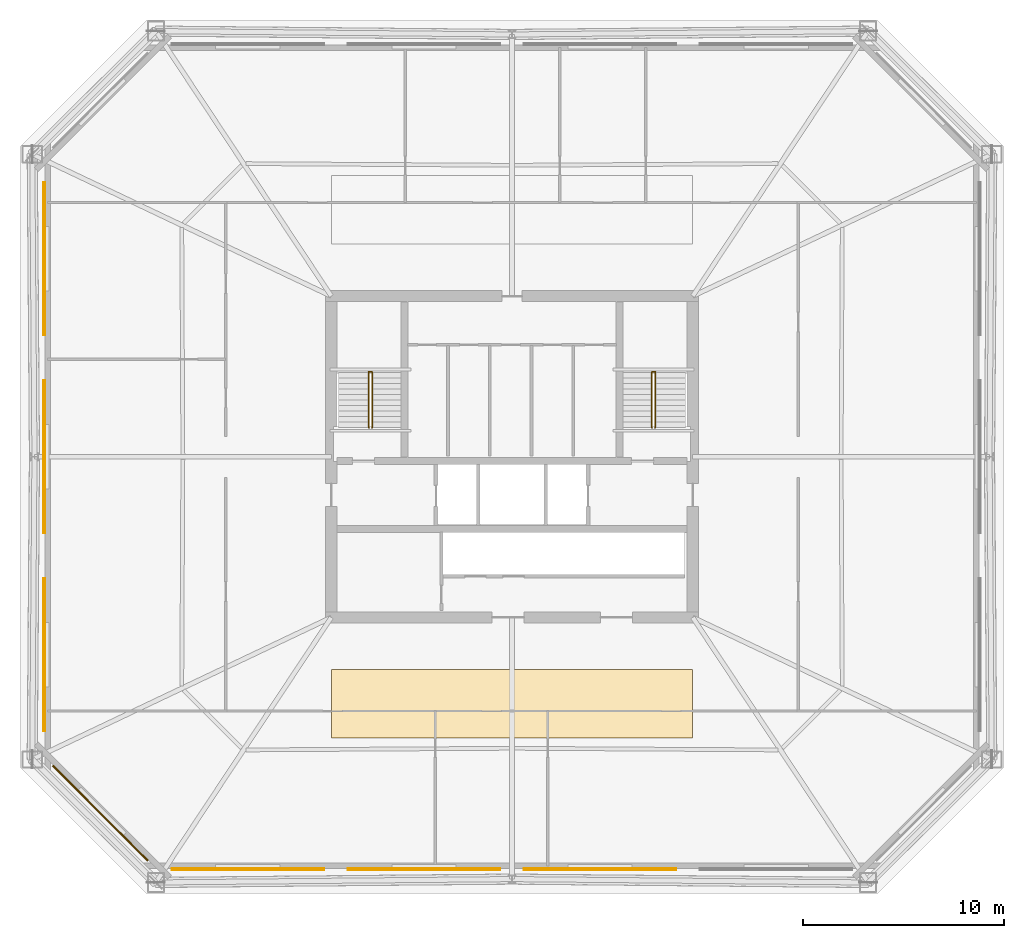
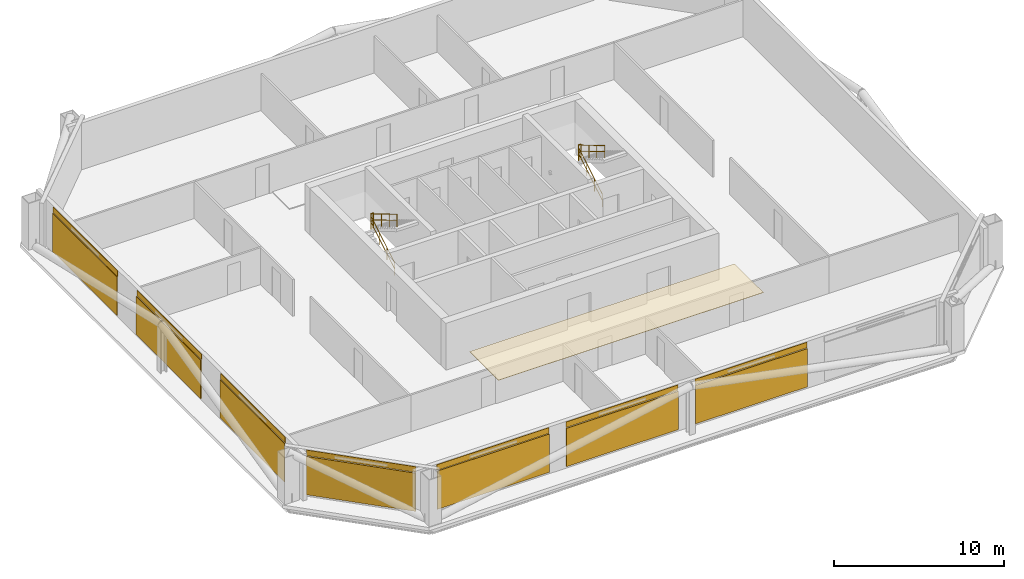
# One storey, part 5 of 6: 8 coverings, 7 shading devices, 6 railings.
"""IFC4 building model written with IfcOpenShell, lengths in metres."""

from ifc_helpers import new_model, si_unit, direction, frame, origin, origin_2d, place, context, subcontext, project, spatial, polyline, rectangle, circle, outline, extrude, material, layer, layer_set, type_object, element, save


model = new_model("IFC4")

# Units and contexts
model_context = context("Model", 3, precision=1e-05, world=origin(), true_north=direction((0.0, 1.0)))
body_context = subcontext(model_context, "Body", "Model", "MODEL_VIEW")
ifc_project = project(units=[si_unit("LENGTHUNIT", "METRE"), si_unit("AREAUNIT", "SQUARE_METRE"), si_unit("VOLUMEUNIT", "CUBIC_METRE"), si_unit("PLANEANGLEUNIT", "RADIAN"), si_unit("MASSUNIT", "GRAM", prefix="KILO")], contexts=[model_context])

# Site, building, storey
site_placement = place(None, origin())
site = spatial("IfcSite", under=ifc_project, at=site_placement, CompositionType="ELEMENT")
building_placement = place(site_placement, origin())
building = spatial("IfcBuilding", under=site, at=building_placement, Name="Caelvoria Tower", CompositionType="ELEMENT")
storey_placement = place(building_placement, frame((0.0, 0.0, 149.199951171875)))
storey = spatial("IfcBuildingStorey", under=building, at=storey_placement, Name="L39", CompositionType="ELEMENT", Elevation=149.199951171875)

# Coverings
ifc_material_1 = material(Name="Acoustic Mineral Fibre Tile", Category="gypsum")
ifc_layer_1 = layer(ifc_material_1, 0.02490234375, Name="Acoustic Mineral Fibre Tile")
ifc_layer_set_1 = layer_set([ifc_layer_1], Name="Mineral-Fibre Acoustic Suspended Ceiling 25 - Acoustic Mineral Fibre Tile")
covering_type_1 = type_object("IfcCoveringType", Name="Mineral-Fibre Acoustic Suspended Ceiling 25", PredefinedType="CEILING", material=ifc_layer_set_1)
covering_1_placement = place(storey_placement, frame((0.0, 0.0, 2.635009765625)))
element("IfcCovering", 1, at=covering_1_placement, inside=storey, type_object=covering_type_1, Name="Suspended Acoustic Ceiling L39", PredefinedType="CEILING", context=body_context, shape_type="SweptSolid", body=[
    extrude(outline(polyline([(37.0, 18.0), (55.0, 18.0), (55.0, 21.39990234375), (37.0, 21.39990234375), (37.0, 18.0)])), origin(), (0.0, 0.0, 1.0), 0.025146484375),
])
ifc_material_2 = material(Name="Perforated Architectural Bronze Cladding Screen", Category="bronze")
ifc_layer_2 = layer(ifc_material_2, 0.0400390625, Name="Perforated Architectural Bronze Cladding Screen")
ifc_layer_set_2 = layer_set([ifc_layer_2], Name="Perforated Bronze Louvre Cladding Band 40 - Perforated Architectural Bronze Cladding Screen")
covering_type_2 = type_object("IfcCoveringType", Name="Perforated Bronze Louvre Cladding Band 40", PredefinedType="CLADDING", material=ifc_layer_set_2)
for number, where, z_axis, x_axis, name in (
    (2, (32.844970703125, 11.47802734375, 2.940185546875), (0.0, 0.0, 1.0), (1.0, 0.0, 0.0), "Perforated Bronze Screen Band L39-E0-00"),
    (3, (41.614990234375, 11.47802734375, 2.940185546875), (0.0, 0.0, 1.0), (1.0, 0.0, 0.0), "Perforated Bronze Screen Band L39-E0-01"),
    (4, (50.385009765625, 11.47802734375, 2.940185546875), (0.0, 0.0, 1.0), (1.0, 0.0, 0.0), "Perforated Bronze Screen Band L39-E0-02"),
    (5, (22.72802734375, 41.860107421875, 2.940185546875), (0.0, 0.0, 1.0), (0.0, -1.0, 0.0), "Perforated Bronze Screen Band L39-E6-00"),
    (6, (22.72802734375, 32.0, 2.940185546875), (0.0, 0.0, 1.0), (0.0, -1.0, 0.0), "Perforated Bronze Screen Band L39-E6-01"),
    (7, (22.72802734375, 22.139892578125, 2.940185546875), (0.0, 0.0, 1.0), (0.0, -1.0, 0.0), "Perforated Bronze Screen Band L39-E6-02"),
):
    element("IfcCovering", number, at=place(storey_placement, frame(where, z_axis=z_axis, x_axis=x_axis)), inside=storey, type_object=covering_type_2, Name=name, PredefinedType="CLADDING", context=body_context, shape_type="SweptSolid", body=[
        extrude(rectangle(XDim=7.60009765625, YDim=0.0400390625, at=origin_2d()), origin(), (0.0, 0.0, 1.0), 0.39990234375),
    ])
covering_2_placement = place(storey_placement, frame((25.518310546875, 14.268310546875, 2.940185546875), z_axis=(0.0, 0.0, 1.0), x_axis=(0.707106781187, -0.707106781187, 0.0)))
element("IfcCovering", 8, at=covering_2_placement, inside=storey, type_object=covering_type_2, Name="Perforated Bronze Screen Band L39-E7-00", PredefinedType="CLADDING", context=body_context, shape_type="SweptSolid", body=[
    extrude(rectangle(XDim=6.6787109375, YDim=0.0400390625, at=origin_2d()), origin(), (0.0, 0.0, 1.0), 0.39990234375),
])

# Shading devices
ifc_material_3 = material(Name="Perforated Architectural Bronze Alloy Panel", Category="bronze")
ifc_layer_3 = layer(ifc_material_3, 0.044921875, Name="Perforated Architectural Bronze Alloy Panel")
ifc_layer_set_3 = layer_set([ifc_layer_3], Name="Perforated Bronze Solar Screen Panel SCREEN - Perforated Architectural Bronze Alloy Panel")
shading_device_type = type_object("IfcShadingDeviceType", Name="Perforated Bronze Solar Screen Panel SCREEN", PredefinedType="USERDEFINED", material=ifc_layer_set_3)
for number, where, z_axis, x_axis, name in (
    (9, (32.844970703125, 11.43505859375, 0.16015625), (0.0, 0.0, 1.0), (1.0, 0.0, 0.0), "Perforated Bronze Solar Screen L39-E0-00"),
    (10, (41.614990234375, 11.43505859375, 0.16015625), (0.0, 0.0, 1.0), (1.0, 0.0, 0.0), "Perforated Bronze Solar Screen L39-E0-01"),
    (11, (50.385009765625, 11.43505859375, 0.16015625), (0.0, 0.0, 1.0), (1.0, 0.0, 0.0), "Perforated Bronze Solar Screen L39-E0-02"),
    (12, (22.68505859375, 41.860107421875, 0.16015625), (0.0, 0.0, 1.0), (0.0, -1.0, 0.0), "Perforated Bronze Solar Screen L39-E6-00"),
    (13, (22.68505859375, 32.0, 0.16015625), (0.0, 0.0, 1.0), (0.0, -1.0, 0.0), "Perforated Bronze Solar Screen L39-E6-01"),
    (14, (22.68505859375, 22.139892578125, 0.16015625), (0.0, 0.0, 1.0), (0.0, -1.0, 0.0), "Perforated Bronze Solar Screen L39-E6-02"),
):
    element("IfcShadingDevice", number, at=place(storey_placement, frame(where, z_axis=z_axis, x_axis=x_axis)), inside=storey, type_object=shading_device_type, Name=name, ObjectType="SCREEN", PredefinedType="USERDEFINED", context=body_context, shape_type="SweptSolid", body=[
        extrude(rectangle(XDim=7.60009765625, YDim=0.044921875, at=origin_2d()), origin(), (0.0, 0.0, 1.0), 2.75),
    ])
shading_device_placement = place(storey_placement, frame((25.48779296875, 14.23779296875, 0.16015625), z_axis=(0.0, 0.0, 1.0), x_axis=(0.707106781187, -0.707106781187, 0.0)))
element("IfcShadingDevice", 15, at=shading_device_placement, inside=storey, type_object=shading_device_type, Name="Perforated Bronze Solar Screen L39-E7-00", ObjectType="SCREEN", PredefinedType="USERDEFINED", context=body_context, shape_type="SweptSolid", body=[
    extrude(rectangle(XDim=6.6787109375, YDim=0.044921875, at=origin_2d()), origin(), (0.0, 0.0, 1.0), 2.75),
])

# Railings
ifc_material_4 = material(Name="Brushed Stainless Steel Tube", Category="steel")
railing_type_1 = type_object("IfcRailingType", Name="Stair Tubular Stainless Handrail 920", PredefinedType="HANDRAIL", material=ifc_material_4)
railing_1_placement = place(storey_placement, frame((38.8701171875, 33.449951171875, 0.16357421875)))
element("IfcRailing", 16, at=railing_1_placement, inside=storey, type_object=railing_type_1, Name="ST-01 Flight 1 Handrail L39", PredefinedType="HANDRAIL", context=body_context, shape_type="SweptSolid", body=[
    extrude(circle(Radius=0.02392578125, at=origin_2d()), frame((0.0, 0.0, 0.89599609375), z_axis=(0.0, 0.859351957796, 0.511384603436), x_axis=(-1.0, 0.0, 0.0)), (0.0, 0.0, 1.0), 3.2001953125),
    extrude(circle(Radius=0.02392578125, at=origin_2d()), frame((0.0, 0.0, 0.4599609375), z_axis=(0.0, 0.859351957796, 0.511384603436), x_axis=(-1.0, 0.0, 0.0)), (0.0, 0.0, 1.0), 3.2001953125),
    extrude(circle(Radius=0.02099609375, at=origin_2d()), origin(), (0.0, 0.0, 1.0), 0.871826171875),
    extrude(circle(Radius=0.02099609375, at=origin_2d()), frame((0.0, 0.916748046875, 0.54541015625)), (0.0, 0.0, 1.0), 0.871826171875),
    extrude(circle(Radius=0.02099609375, at=origin_2d()), frame((0.0, 1.833251953125, 1.091064453125)), (0.0, 0.0, 1.0), 0.871826171875),
    extrude(circle(Radius=0.02099609375, at=origin_2d()), frame((0.0, 2.75, 1.636474609375)), (0.0, 0.0, 1.0), 0.871826171875),
])
railing_2_placement = place(storey_placement, frame((39.030029296875, 36.199951171875, 1.963623046875)))
element("IfcRailing", 17, at=railing_2_placement, inside=storey, type_object=railing_type_1, Name="ST-01 Flight 2 Handrail L39", PredefinedType="HANDRAIL", context=body_context, shape_type="SweptSolid", body=[
    extrude(circle(Radius=0.02392578125, at=origin_2d()), frame((0.0, 0.0, 0.89599609375), z_axis=(0.0, -0.859351957796, 0.511384603436), x_axis=(1.0, 0.0, 0.0)), (0.0, 0.0, 1.0), 3.2001953125),
    extrude(circle(Radius=0.02392578125, at=origin_2d()), frame((0.0, 0.0, 0.4599609375), z_axis=(0.0, -0.859351957796, 0.511384603436), x_axis=(1.0, 0.0, 0.0)), (0.0, 0.0, 1.0), 3.2001953125),
    extrude(circle(Radius=0.02099609375, at=origin_2d()), origin(), (0.0, 0.0, 1.0), 0.871826171875),
    extrude(circle(Radius=0.02099609375, at=origin_2d()), frame((0.0, -0.916748046875, 0.54541015625)), (0.0, 0.0, 1.0), 0.871826171875),
    extrude(circle(Radius=0.02099609375, at=origin_2d()), frame((0.0, -1.833251953125, 1.091064453125)), (0.0, 0.0, 1.0), 0.871826171875),
    extrude(circle(Radius=0.02099609375, at=origin_2d()), frame((0.0, -2.75, 1.636474609375)), (0.0, 0.0, 1.0), 0.871826171875),
])
railing_3_placement = place(storey_placement, frame((52.969970703125, 33.449951171875, 0.16357421875)))
element("IfcRailing", 18, at=railing_3_placement, inside=storey, type_object=railing_type_1, Name="ST-02 Flight 1 Handrail L39", PredefinedType="HANDRAIL", context=body_context, shape_type="SweptSolid", body=[
    extrude(circle(Radius=0.02392578125, at=origin_2d()), frame((0.0, 0.0, 0.89599609375), z_axis=(0.0, 0.859351957796, 0.511384603436), x_axis=(-1.0, 0.0, 0.0)), (0.0, 0.0, 1.0), 3.2001953125),
    extrude(circle(Radius=0.02392578125, at=origin_2d()), frame((0.0, 0.0, 0.4599609375), z_axis=(0.0, 0.859351957796, 0.511384603436), x_axis=(-1.0, 0.0, 0.0)), (0.0, 0.0, 1.0), 3.2001953125),
    extrude(circle(Radius=0.02099609375, at=origin_2d()), origin(), (0.0, 0.0, 1.0), 0.871826171875),
    extrude(circle(Radius=0.02099609375, at=origin_2d()), frame((0.0, 0.916748046875, 0.54541015625)), (0.0, 0.0, 1.0), 0.871826171875),
    extrude(circle(Radius=0.02099609375, at=origin_2d()), frame((0.0, 1.833251953125, 1.091064453125)), (0.0, 0.0, 1.0), 0.871826171875),
    extrude(circle(Radius=0.02099609375, at=origin_2d()), frame((0.0, 2.75, 1.636474609375)), (0.0, 0.0, 1.0), 0.871826171875),
])
railing_4_placement = place(storey_placement, frame((53.1298828125, 36.199951171875, 1.963623046875)))
element("IfcRailing", 19, at=railing_4_placement, inside=storey, type_object=railing_type_1, Name="ST-02 Flight 2 Handrail L39", PredefinedType="HANDRAIL", context=body_context, shape_type="SweptSolid", body=[
    extrude(circle(Radius=0.02392578125, at=origin_2d()), frame((0.0, 0.0, 0.89599609375), z_axis=(0.0, -0.859351957796, 0.511384603436), x_axis=(1.0, 0.0, 0.0)), (0.0, 0.0, 1.0), 3.2001953125),
    extrude(circle(Radius=0.02392578125, at=origin_2d()), frame((0.0, 0.0, 0.4599609375), z_axis=(0.0, -0.859351957796, 0.511384603436), x_axis=(1.0, 0.0, 0.0)), (0.0, 0.0, 1.0), 3.2001953125),
    extrude(circle(Radius=0.02099609375, at=origin_2d()), origin(), (0.0, 0.0, 1.0), 0.871826171875),
    extrude(circle(Radius=0.02099609375, at=origin_2d()), frame((0.0, -0.916748046875, 0.54541015625)), (0.0, 0.0, 1.0), 0.871826171875),
    extrude(circle(Radius=0.02099609375, at=origin_2d()), frame((0.0, -1.833251953125, 1.091064453125)), (0.0, 0.0, 1.0), 0.871826171875),
    extrude(circle(Radius=0.02099609375, at=origin_2d()), frame((0.0, -2.75, 1.636474609375)), (0.0, 0.0, 1.0), 0.871826171875),
])
ifc_material_5 = material(Name="Brushed Stainless Steel Guardrail", Category="steel")
railing_type_2 = type_object("IfcRailingType", Name="Stair Well and Ramp Guardrail 1120", PredefinedType="GUARDRAIL", material=ifc_material_5)
for number, where, name in (
    (20, (38.8701171875, 36.239990234375, 1.800048828125), "ST-01 Half-Landing Well Guard L39"),
    (21, (52.969970703125, 36.239990234375, 1.800048828125), "ST-02 Half-Landing Well Guard L39"),
):
    element("IfcRailing", number, at=place(storey_placement, frame(where)), inside=storey, type_object=railing_type_2, Name=name, PredefinedType="GUARDRAIL", context=body_context, shape_type="SweptSolid", body=[
        extrude(circle(Radius=0.02392578125, at=origin_2d()), frame((0.0, 0.0, 1.09619140625), z_axis=(1.0, 0.0, 0.0), x_axis=(0.0, 1.0, 0.0)), (0.0, 0.0, 1.0), 0.159912109375),
        extrude(circle(Radius=0.02392578125, at=origin_2d()), frame((0.0, 0.0, 0.56005859375), z_axis=(1.0, 0.0, 0.0), x_axis=(0.0, 1.0, 0.0)), (0.0, 0.0, 1.0), 0.159912109375),
        extrude(circle(Radius=0.02099609375, at=origin_2d()), origin(), (0.0, 0.0, 1.0), 1.072021484375),
        extrude(circle(Radius=0.02099609375, at=origin_2d()), frame((0.159912109375, 0.0, 0.0)), (0.0, 0.0, 1.0), 1.072021484375),
    ])

save(model, "model.ifc")
